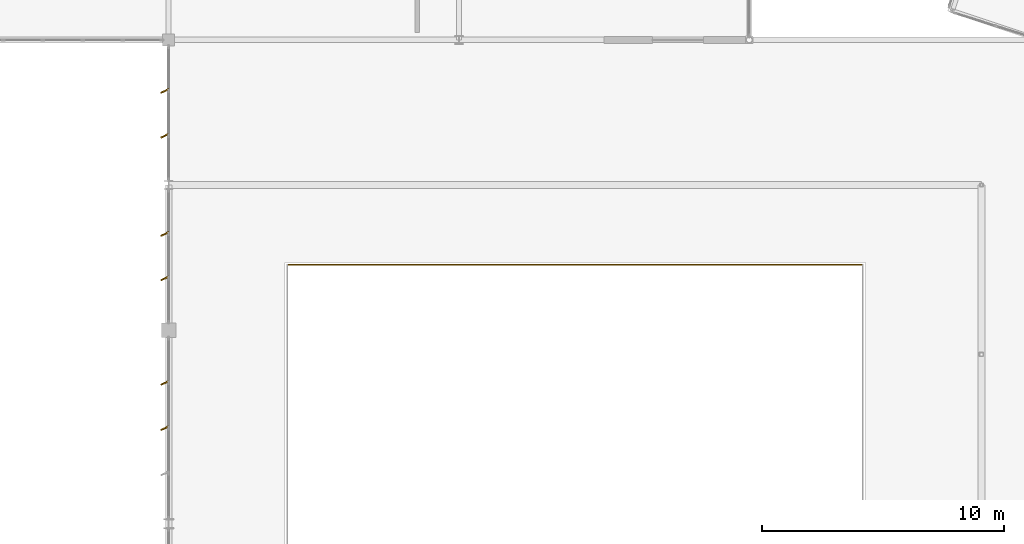
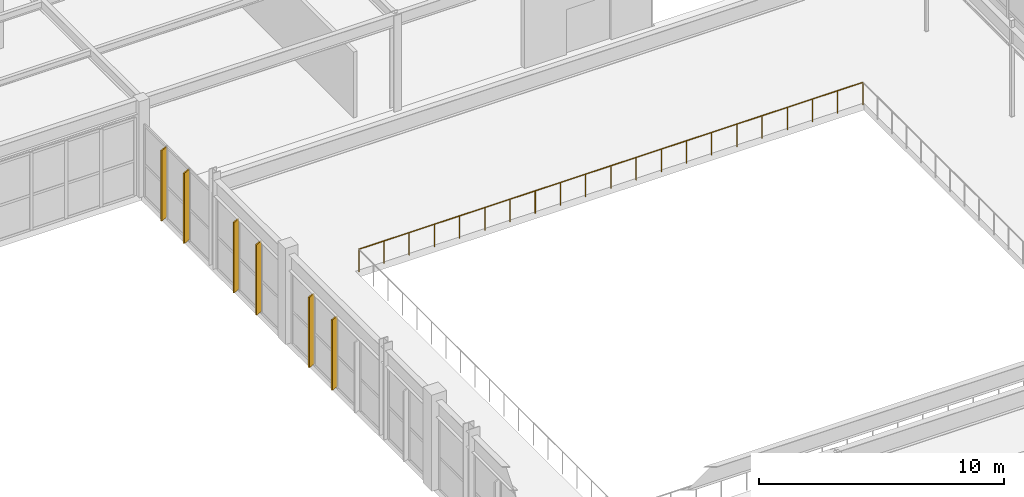
# One storey, part 172 of 186: 6 shading devices, 1 railing.
"""IFC4 building model written with IfcOpenShell, lengths in metres."""

from ifc_helpers import new_model, si_unit, direction, frame, origin, origin_2d, place, context, subcontext, project, spatial, rectangle, circle, extrude, material, layer, layer_set, type_object, element, save


model = new_model("IFC4")

# Units and contexts
model_context = context("Model", 3, precision=1e-05, world=origin(), true_north=direction((0.0, 1.0)))
body_context = subcontext(model_context, "Body", "Model", "MODEL_VIEW")
ifc_project = project(units=[si_unit("LENGTHUNIT", "METRE"), si_unit("AREAUNIT", "SQUARE_METRE"), si_unit("VOLUMEUNIT", "CUBIC_METRE"), si_unit("PLANEANGLEUNIT", "RADIAN"), si_unit("MASSUNIT", "GRAM", prefix="KILO")], contexts=[model_context])

# Site, building, storey
site_placement = place(None, origin())
site = spatial("IfcSite", under=ifc_project, at=site_placement, CompositionType="ELEMENT")
building_placement = place(site_placement, origin())
building = spatial("IfcBuilding", under=site, at=building_placement, Name="Tarnwether General Hospital", CompositionType="ELEMENT")
storey_placement = place(building_placement, frame((0.0, 0.0, 9.60009765625)))
storey = spatial("IfcBuildingStorey", under=building, at=storey_placement, Name="L02", CompositionType="ELEMENT", Elevation=9.60009765625)

# Railing
ifc_material_1 = material(Name="Double glazed low-E glass", Category="glass")
railing_type = type_object("IfcRailingType", Name="RL-BAL-ATR", PredefinedType="BALUSTRADE", material=ifc_material_1)
railing_placement = place(storey_placement, frame((136.699951171875, 72.300048828125, 0.0)))
element("IfcRailing", 1, at=railing_placement, inside=storey, type_object=railing_type, Name="Main Hall Atrium Balustrade L02 3", PredefinedType="BALUSTRADE", context=body_context, shape_type="SweptSolid", body=[
    extrude(circle(Radius=0.02392578125, at=origin_2d()), frame((0.0, 0.0, 1.1259765625), z_axis=(-1.0, 0.0, 0.0), x_axis=(0.0, -1.0, 0.0)), (0.0, 0.0, 1.0), 23.800048828125),
    extrude(circle(Radius=0.02099609375, at=origin_2d()), origin(), (0.0, 0.0, 1.0), 1.101806640625),
    extrude(circle(Radius=0.02099609375, at=origin_2d()), frame((-1.18994140625, 0.0, 0.0)), (0.0, 0.0, 1.0), 1.101806640625),
    extrude(circle(Radius=0.02099609375, at=origin_2d()), frame((-2.3798828125, 0.0, 0.0)), (0.0, 0.0, 1.0), 1.101806640625),
    extrude(circle(Radius=0.02099609375, at=origin_2d()), frame((-3.570068359375, 0.0, 0.0)), (0.0, 0.0, 1.0), 1.101806640625),
    extrude(circle(Radius=0.02099609375, at=origin_2d()), frame((-4.760009765625, 0.0, 0.0)), (0.0, 0.0, 1.0), 1.101806640625),
    extrude(circle(Radius=0.02099609375, at=origin_2d()), frame((-5.949951171875, 0.0, 0.0)), (0.0, 0.0, 1.0), 1.101806640625),
    extrude(circle(Radius=0.02099609375, at=origin_2d()), frame((-7.14013671875, 0.0, 0.0)), (0.0, 0.0, 1.0), 1.101806640625),
    extrude(circle(Radius=0.02099609375, at=origin_2d()), frame((-8.330078125, 0.0, 0.0)), (0.0, 0.0, 1.0), 1.101806640625),
    extrude(circle(Radius=0.02099609375, at=origin_2d()), frame((-9.52001953125, 0.0, 0.0)), (0.0, 0.0, 1.0), 1.101806640625),
    extrude(circle(Radius=0.02099609375, at=origin_2d()), frame((-10.7099609375, 0.0, 0.0)), (0.0, 0.0, 1.0), 1.101806640625),
    extrude(circle(Radius=0.02099609375, at=origin_2d()), frame((-11.89990234375, 0.0, 0.0)), (0.0, 0.0, 1.0), 1.101806640625),
    extrude(circle(Radius=0.02099609375, at=origin_2d()), frame((-13.090087890625, 0.0, 0.0)), (0.0, 0.0, 1.0), 1.101806640625),
    extrude(circle(Radius=0.02099609375, at=origin_2d()), frame((-14.280029296875, 0.0, 0.0)), (0.0, 0.0, 1.0), 1.101806640625),
    extrude(circle(Radius=0.02099609375, at=origin_2d()), frame((-15.469970703125, 0.0, 0.0)), (0.0, 0.0, 1.0), 1.101806640625),
    extrude(circle(Radius=0.02099609375, at=origin_2d()), frame((-16.66015625, 0.0, 0.0)), (0.0, 0.0, 1.0), 1.101806640625),
    extrude(circle(Radius=0.02099609375, at=origin_2d()), frame((-17.85009765625, 0.0, 0.0)), (0.0, 0.0, 1.0), 1.101806640625),
    extrude(circle(Radius=0.02099609375, at=origin_2d()), frame((-19.0400390625, 0.0, 0.0)), (0.0, 0.0, 1.0), 1.101806640625),
    extrude(circle(Radius=0.02099609375, at=origin_2d()), frame((-20.22998046875, 0.0, 0.0)), (0.0, 0.0, 1.0), 1.101806640625),
    extrude(circle(Radius=0.02099609375, at=origin_2d()), frame((-21.419921875, 0.0, 0.0)), (0.0, 0.0, 1.0), 1.101806640625),
    extrude(circle(Radius=0.02099609375, at=origin_2d()), frame((-22.610107421875, 0.0, 0.0)), (0.0, 0.0, 1.0), 1.101806640625),
    extrude(circle(Radius=0.02099609375, at=origin_2d()), frame((-23.800048828125, 0.0, 0.0)), (0.0, 0.0, 1.0), 1.101806640625),
])

# Shading devices
ifc_material_2 = material(Name="Champagne-bronze anodised aluminium", Category="aluminium")
ifc_layer = layer(ifc_material_2, 0.06005859375)
ifc_layer_set = layer_set([ifc_layer], Name="Champagne-bronze anodised aluminium")
shading_device_type = type_object("IfcShadingDeviceType", Name="SH-FIN-BRZ", PredefinedType="USERDEFINED", material=ifc_layer_set)
for number, where, z_axis, x_axis, name in (
    (2, (107.840087890625, 65.550048828125, 0.0498046875), (0.0, 0.0, 1.0), (-0.422618261741, 0.906307787037, 0.0), "Champagne-Bronze Brise-Soleil Fin 0436"),
    (3, (107.840087890625, 67.4208984375, 0.0498046875), (0.0, 0.0, 1.0), (-0.422618261741, 0.906307787037, 0.0), "Champagne-Bronze Brise-Soleil Fin 0437"),
    (4, (107.840087890625, 71.742919921875, 0.0498046875), (0.0, 0.0, 1.0), (-0.422618261741, 0.906307787037, 0.0), "Champagne-Bronze Brise-Soleil Fin 0438"),
    (5, (107.840087890625, 73.576904296875, 0.0498046875), (0.0, 0.0, 1.0), (-0.422618261741, 0.906307787037, 0.0), "Champagne-Bronze Brise-Soleil Fin 0439"),
    (6, (107.840087890625, 77.638916015625, 0.0498046875), (0.0, 0.0, 1.0), (-0.422618261741, 0.906307787037, 0.0), "Champagne-Bronze Brise-Soleil Fin 0440"),
    (7, (107.840087890625, 79.490966796875, 0.0498046875), (0.0, 0.0, 1.0), (-0.422618261741, 0.906307787037, 0.0), "Champagne-Bronze Brise-Soleil Fin 0441"),
):
    element("IfcShadingDevice", number, at=place(storey_placement, frame(where, z_axis=z_axis, x_axis=x_axis)), inside=storey, type_object=shading_device_type, Name=name, ObjectType="SOLAR FIN", PredefinedType="USERDEFINED", context=body_context, shape_type="SweptSolid", body=[
        extrude(rectangle(XDim=0.06005859375, YDim=0.360107421875, at=origin_2d()), origin(), (0.0, 0.0, 1.0), 3.514892578125),
    ])

save(model, "model.ifc")
